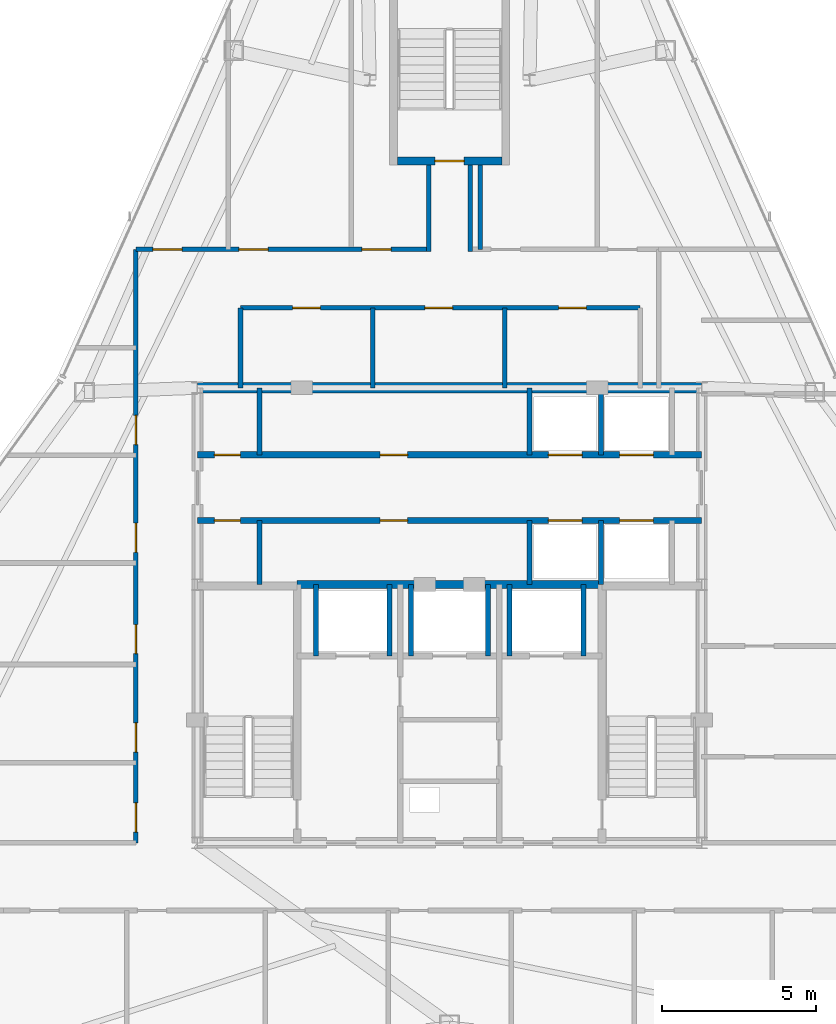
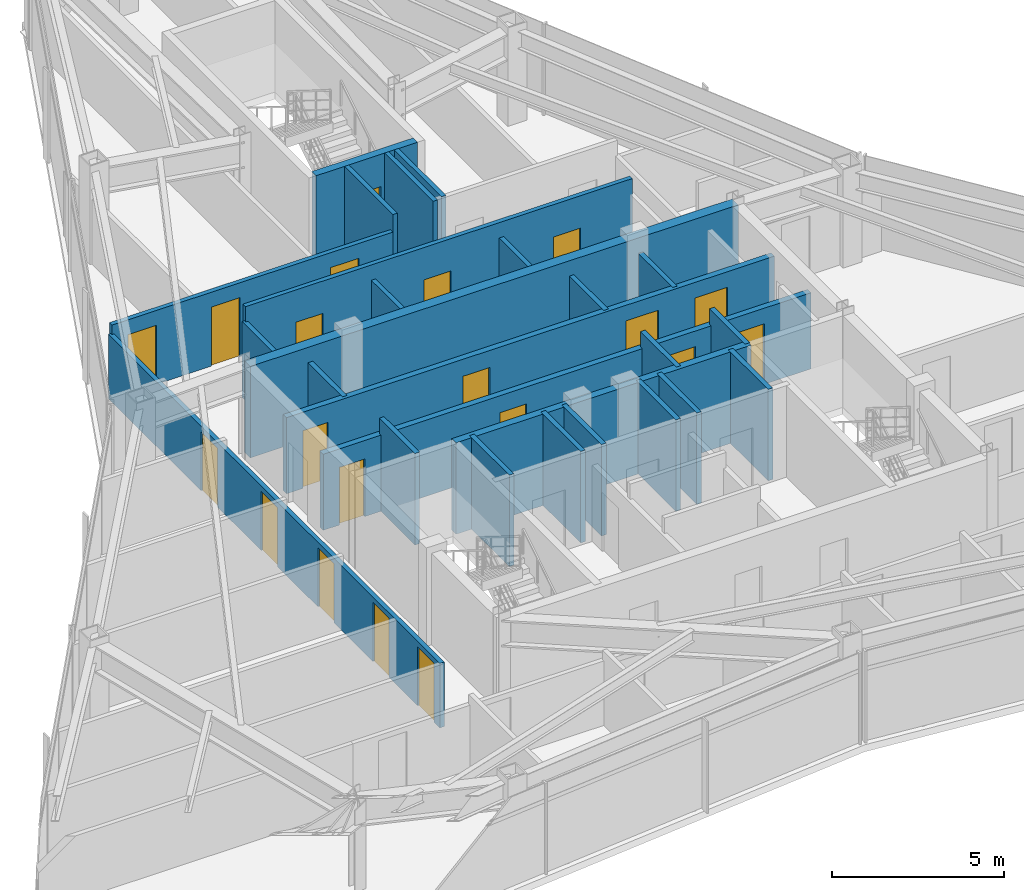
# One storey, part 10 of 12: 26 walls, 20 doors, 20 openings.
"""IFC4 building model written with IfcOpenShell, lengths in metres."""

from ifc_helpers import new_model, si_unit, direction, frame, frame_2d, origin, place, context, subcontext, project, spatial, rectangle, extrude, material, layer, layer_set, type_object, element, fill, save


model = new_model("IFC4")

# Units and contexts
model_context = context("Model", 3, precision=1e-05, world=origin(), true_north=direction((0.0, 1.0)))
body_context = subcontext(model_context, "Body", "Model", "MODEL_VIEW")
ifc_project = project(units=[si_unit("LENGTHUNIT", "METRE"), si_unit("AREAUNIT", "SQUARE_METRE"), si_unit("VOLUMEUNIT", "CUBIC_METRE"), si_unit("PLANEANGLEUNIT", "RADIAN"), si_unit("MASSUNIT", "GRAM", prefix="KILO")], contexts=[model_context])

# Site, building, storey
site_placement = place(None, origin())
site = spatial("IfcSite", under=ifc_project, at=site_placement, CompositionType="ELEMENT")
building_placement = place(site_placement, origin())
building = spatial("IfcBuilding", under=site, at=building_placement, Name="Varakhsha Concourse Tower", CompositionType="ELEMENT")
storey_placement = place(building_placement, frame((0.0, 0.0, 255.0)))
storey = spatial("IfcBuildingStorey", under=building, at=storey_placement, Name="L72", CompositionType="ELEMENT", Elevation=255.0)

# Wall
ifc_material_1 = material(Name="Concrete fc 65 MPa", Category="concrete")
ifc_layer_1 = layer(ifc_material_1, 0.35009765625, Name="WL-CORE-350")
ifc_layer_set_1 = layer_set([ifc_layer_1], Name="Concrete fc 65 MPa")
wall_type_1 = type_object("IfcWallType", Name="WL-CORE-350", PredefinedType="SHEAR", material=ifc_layer_set_1)
wall_1_placement = place(storey_placement, frame((31.800048828125, 31.199951171875, 0.0), z_axis=(0.0, 0.0, 1.0), x_axis=(1.0, 0.0, 0.0)))
element("IfcWall", 1, at=wall_1_placement, inside=storey, type_object=wall_type_1, Name="L72 Wall CWALL-N-L72", PredefinedType="SHEAR", context=body_context, shape_type="SweptSolid", body=[
    extrude(rectangle(XDim=16.39990234375, YDim=0.35009765625, at=frame_2d((8.199951171875, 0.0))), origin(), (0.0, 0.0, 1.0), 3.25),
])

# Wall, openings, doors
ifc_material_2 = material(Name="Fire-Rated Type X Gypsum Partition Assembly", Category="gypsum")
ifc_layer_2 = layer(ifc_material_2, 0.14990234375, Name="WL-PART-150")
ifc_layer_set_2 = layer_set([ifc_layer_2], Name="Fire-Rated Type X Gypsum Partition Assembly")
wall_type_2 = type_object("IfcWallType", Name="WL-PART-150", PredefinedType="PARTITIONING", material=ifc_layer_set_2)
wall_2_placement = place(storey_placement, frame((33.199951171875, 33.800048828125, 0.0), z_axis=(0.0, 0.0, 1.0), x_axis=(1.0, 0.0, 0.0)))
wall_2 = element("IfcWall", 2, at=wall_2_placement, inside=storey, type_object=wall_type_2, Name="L72 Wall NBOH-N-L72", PredefinedType="PARTITIONING", context=body_context, shape_type="SweptSolid", body=[
    extrude(rectangle(XDim=13.0, YDim=0.14990234375, at=frame_2d((6.5, 0.0))), origin(), (0.0, 0.0, 1.0), 3.25),
])
opening_1_placement = place(wall_2_placement, frame((1.699951171875, 0.0, 0.0)))
opening_1 = element("IfcOpeningElement", 3, at=opening_1_placement, cuts=wall_2, Name="Opening DF-06", PredefinedType="OPENING", context=body_context, shape_type="SweptSolid", body=[
    extrude(rectangle(XDim=0.89990234375, YDim=2.10009765625, at=frame_2d((0.449951171875, 1.050048828125))), frame((0.0, 0.0849609375, 0.0), z_axis=(0.0, -1.0, 0.0), x_axis=(1.0, 0.0, 0.0)), (0.0, 0.0, 1.0), 0.169921875),
])
opening_2_placement = place(wall_2_placement, frame((6.0, 0.0, 0.0)))
opening_2 = element("IfcOpeningElement", 4, at=opening_2_placement, cuts=wall_2, Name="Opening DF-06", PredefinedType="OPENING", context=body_context, shape_type="SweptSolid", body=[
    extrude(rectangle(XDim=0.89990234375, YDim=2.10009765625, at=frame_2d((0.449951171875, 1.050048828125))), frame((0.0, 0.0849609375, 0.0), z_axis=(0.0, -1.0, 0.0), x_axis=(1.0, 0.0, 0.0)), (0.0, 0.0, 1.0), 0.169921875),
])
opening_3_placement = place(wall_2_placement, frame((10.35009765625, 0.0, 0.0)))
opening_3 = element("IfcOpeningElement", 5, at=opening_3_placement, cuts=wall_2, Name="Opening DF-06", PredefinedType="OPENING", context=body_context, shape_type="SweptSolid", body=[
    extrude(rectangle(XDim=0.89990234375, YDim=2.10009765625, at=frame_2d((0.449951171875, 1.050048828125))), frame((0.0, 0.0849609375, 0.0), z_axis=(0.0, -1.0, 0.0), x_axis=(1.0, 0.0, 0.0)), (0.0, 0.0, 1.0), 0.169921875),
])
ifc_material_3 = material(Name="Hollow Galvanised Steel Fire Door Assembly", Category="steel")
door_type_1 = type_object("IfcDoorType", Name="DR-FD60-900", OperationType="NOTDEFINED", PredefinedType="DOOR", material=ifc_material_3)
door_1_placement = place(opening_1_placement, origin())
door_1 = element("IfcDoor", 6, at=door_1_placement, inside=storey, type_object=door_type_1, Name="L72 Men Restroom WC Door", OperationType="SINGLE_SWING_LEFT", OverallHeight=2.10009765625, OverallWidth=0.89990234375, PredefinedType="DOOR", context=body_context, shape_type="SweptSolid", body=[
    extrude(rectangle(XDim=0.89990234375, YDim=2.10009765625, at=frame_2d((0.449951171875, 1.050048828125))), frame((0.0, 0.02490234375, 0.0), z_axis=(0.0, -1.0, 0.0), x_axis=(1.0, 0.0, 0.0)), (0.0, 0.0, 1.0), 0.050048828125),
])
fill(opening_1, door_1)
door_2_placement = place(opening_2_placement, origin())
door_2 = element("IfcDoor", 7, at=door_2_placement, inside=storey, type_object=door_type_1, Name="L72 Women Restroom WC Door", OperationType="SINGLE_SWING_RIGHT", OverallHeight=2.10009765625, OverallWidth=0.89990234375, PredefinedType="DOOR", context=body_context, shape_type="SweptSolid", body=[
    extrude(rectangle(XDim=0.89990234375, YDim=2.10009765625, at=frame_2d((0.449951171875, 1.050048828125))), frame((0.0, 0.02490234375, 0.0), z_axis=(0.0, -1.0, 0.0), x_axis=(1.0, 0.0, 0.0)), (0.0, 0.0, 1.0), 0.050048828125),
])
fill(opening_2, door_2)
door_3_placement = place(opening_3_placement, origin())
door_3 = element("IfcDoor", 8, at=door_3_placement, inside=storey, type_object=door_type_1, Name="L72 Accessible WC Door", OperationType="SINGLE_SWING_LEFT", OverallHeight=2.10009765625, OverallWidth=0.89990234375, PredefinedType="DOOR", context=body_context, shape_type="SweptSolid", body=[
    extrude(rectangle(XDim=0.89990234375, YDim=2.10009765625, at=frame_2d((0.449951171875, 1.050048828125))), frame((0.0, 0.02490234375, 0.0), z_axis=(0.0, -1.0, 0.0), x_axis=(1.0, 0.0, 0.0)), (0.0, 0.0, 1.0), 0.050048828125),
])
fill(opening_3, door_3)

# Walls
for number, where, z_axis, x_axis, name in (
    (9, (33.199951171875, 31.199951171875, 0.0), (0.0, 0.0, 1.0), (0.0, 1.0, 0.0), "L72 Wall NBOH-W-L72"),
    (10, (37.5, 31.199951171875, 0.0), (0.0, 0.0, 1.0), (0.0, 1.0, 0.0), "L72 Wall NBOH-D1-L72"),
    (11, (41.800048828125, 31.199951171875, 0.0), (0.0, 0.0, 1.0), (0.0, 1.0, 0.0), "L72 Wall NBOH-D2-L72"),
):
    element("IfcWall", number, at=place(storey_placement, frame(where, z_axis=z_axis, x_axis=x_axis)), inside=storey, type_object=wall_type_2, Name=name, PredefinedType="PARTITIONING", context=body_context, shape_type="SweptSolid", body=[
        extrude(rectangle(XDim=2.60009765625, YDim=0.14990234375, at=frame_2d((1.300048828125, 0.0))), origin(), (0.0, 0.0, 1.0), 2.705078125),
    ])

# Wall, openings, doors
wall_3_placement = place(storey_placement, frame((29.800048828125, 16.39990234375, 0.0), z_axis=(0.0, 0.0, 1.0), x_axis=(0.0, 1.0, 0.0)))
wall_3 = element("IfcWall", 12, at=wall_3_placement, inside=storey, type_object=wall_type_2, Name="L72 Wall CRW-W-L72", PredefinedType="PARTITIONING", context=body_context, shape_type="SweptSolid", body=[
    extrude(rectangle(XDim=19.300048828125, YDim=0.14990234375, at=frame_2d((9.64990234375, 0.0))), origin(), (0.0, 0.0, 1.0), 2.2919921875),
])
opening_4_placement = place(wall_3_placement, frame((0.35009765625, 0.0, 0.0)))
opening_4 = element("IfcOpeningElement", 13, at=opening_4_placement, cuts=wall_3, Name="Opening DF-05", PredefinedType="OPENING", context=body_context, shape_type="SweptSolid", body=[
    extrude(rectangle(XDim=0.949951171875, YDim=2.10009765625, at=frame_2d((0.47509765625, 1.050048828125))), frame((0.0, 0.0849609375, 0.0), z_axis=(0.0, -1.0, 0.0), x_axis=(1.0, 0.0, 0.0)), (0.0, 0.0, 1.0), 0.169921875),
])
opening_5_placement = place(wall_3_placement, frame((2.949951171875, 0.0, 0.0)))
opening_5 = element("IfcOpeningElement", 14, at=opening_5_placement, cuts=wall_3, Name="Opening DF-05", PredefinedType="OPENING", context=body_context, shape_type="SweptSolid", body=[
    extrude(rectangle(XDim=0.949951171875, YDim=2.10009765625, at=frame_2d((0.47509765625, 1.050048828125))), frame((0.0, 0.0849609375, 0.0), z_axis=(0.0, -1.0, 0.0), x_axis=(1.0, 0.0, 0.0)), (0.0, 0.0, 1.0), 0.169921875),
])
opening_6_placement = place(wall_3_placement, frame((6.14990234375, 0.0, 0.0)))
opening_6 = element("IfcOpeningElement", 15, at=opening_6_placement, cuts=wall_3, Name="Opening DF-05", PredefinedType="OPENING", context=body_context, shape_type="SweptSolid", body=[
    extrude(rectangle(XDim=0.949951171875, YDim=2.10009765625, at=frame_2d((0.47509765625, 1.050048828125))), frame((0.0, 0.0849609375, 0.0), z_axis=(0.0, -1.0, 0.0), x_axis=(1.0, 0.0, 0.0)), (0.0, 0.0, 1.0), 0.169921875),
])
opening_7_placement = place(wall_3_placement, frame((9.449951171875, 0.0, 0.0)))
opening_7 = element("IfcOpeningElement", 16, at=opening_7_placement, cuts=wall_3, Name="Opening DF-05", PredefinedType="OPENING", context=body_context, shape_type="SweptSolid", body=[
    extrude(rectangle(XDim=0.949951171875, YDim=2.10009765625, at=frame_2d((0.47509765625, 1.050048828125))), frame((0.0, 0.0849609375, 0.0), z_axis=(0.0, -1.0, 0.0), x_axis=(1.0, 0.0, 0.0)), (0.0, 0.0, 1.0), 0.169921875),
])
opening_8_placement = place(wall_3_placement, frame((12.949951171875, 0.0, 0.0)))
opening_8 = element("IfcOpeningElement", 17, at=opening_8_placement, cuts=wall_3, Name="Opening DF-05", PredefinedType="OPENING", context=body_context, shape_type="SweptSolid", body=[
    extrude(rectangle(XDim=0.949951171875, YDim=2.10009765625, at=frame_2d((0.47509765625, 1.050048828125))), frame((0.0, 0.0849609375, 0.0), z_axis=(0.0, -1.0, 0.0), x_axis=(1.0, 0.0, 0.0)), (0.0, 0.0, 1.0), 0.169921875),
])
door_type_2 = type_object("IfcDoorType", Name="DR-FD60-950", OperationType="NOTDEFINED", PredefinedType="DOOR", material=ifc_material_3)
door_4_placement = place(opening_4_placement, origin())
door_4 = element("IfcDoor", 18, at=door_4_placement, inside=storey, type_object=door_type_2, Name="L72 Lab Staff Refreshment Kitchen L72 Door", OperationType="SINGLE_SWING_RIGHT", OverallHeight=2.10009765625, OverallWidth=0.949951171875, PredefinedType="DOOR", context=body_context, shape_type="SweptSolid", body=[
    extrude(rectangle(XDim=0.949951171875, YDim=2.10009765625, at=frame_2d((0.47509765625, 1.050048828125))), frame((0.0, 0.02490234375, 0.0), z_axis=(0.0, -1.0, 0.0), x_axis=(1.0, 0.0, 0.0)), (0.0, 0.0, 1.0), 0.050048828125),
])
fill(opening_4, door_4)
door_5_placement = place(opening_5_placement, origin())
door_5 = element("IfcDoor", 19, at=door_5_placement, inside=storey, type_object=door_type_2, Name="L72 Dry R&D Design Lab L72-W2 Door", OperationType="SINGLE_SWING_LEFT", OverallHeight=2.10009765625, OverallWidth=0.949951171875, PredefinedType="DOOR", context=body_context, shape_type="SweptSolid", body=[
    extrude(rectangle(XDim=0.949951171875, YDim=2.10009765625, at=frame_2d((0.47509765625, 1.050048828125))), frame((0.0, 0.02490234375, 0.0), z_axis=(0.0, -1.0, 0.0), x_axis=(1.0, 0.0, 0.0)), (0.0, 0.0, 1.0), 0.050048828125),
])
fill(opening_5, door_5)
door_6_placement = place(opening_6_placement, origin())
door_6 = element("IfcDoor", 20, at=door_6_placement, inside=storey, type_object=door_type_2, Name="L72 Dry R&D Design Lab L72-W3 Door", OperationType="SINGLE_SWING_RIGHT", OverallHeight=2.10009765625, OverallWidth=0.949951171875, PredefinedType="DOOR", context=body_context, shape_type="SweptSolid", body=[
    extrude(rectangle(XDim=0.949951171875, YDim=2.10009765625, at=frame_2d((0.47509765625, 1.050048828125))), frame((0.0, 0.02490234375, 0.0), z_axis=(0.0, -1.0, 0.0), x_axis=(1.0, 0.0, 0.0)), (0.0, 0.0, 1.0), 0.050048828125),
])
fill(opening_6, door_6)
door_7_placement = place(opening_7_placement, origin())
door_7 = element("IfcDoor", 21, at=door_7_placement, inside=storey, type_object=door_type_2, Name="L72 Dry R&D Design Lab L72-W4 Door", OperationType="SINGLE_SWING_LEFT", OverallHeight=2.10009765625, OverallWidth=0.949951171875, PredefinedType="DOOR", context=body_context, shape_type="SweptSolid", body=[
    extrude(rectangle(XDim=0.949951171875, YDim=2.10009765625, at=frame_2d((0.47509765625, 1.050048828125))), frame((0.0, 0.02490234375, 0.0), z_axis=(0.0, -1.0, 0.0), x_axis=(1.0, 0.0, 0.0)), (0.0, 0.0, 1.0), 0.050048828125),
])
fill(opening_7, door_7)
door_8_placement = place(opening_8_placement, origin())
door_8 = element("IfcDoor", 22, at=door_8_placement, inside=storey, type_object=door_type_2, Name="L72 Dry R&D Design Lab L72-W5 Door", OperationType="SINGLE_SWING_RIGHT", OverallHeight=2.10009765625, OverallWidth=0.949951171875, PredefinedType="DOOR", context=body_context, shape_type="SweptSolid", body=[
    extrude(rectangle(XDim=0.949951171875, YDim=2.10009765625, at=frame_2d((0.47509765625, 1.050048828125))), frame((0.0, 0.02490234375, 0.0), z_axis=(0.0, -1.0, 0.0), x_axis=(1.0, 0.0, 0.0)), (0.0, 0.0, 1.0), 0.050048828125),
])
fill(opening_8, door_8)

wall_4_placement = place(storey_placement, frame((29.800048828125, 35.699951171875, 0.0), z_axis=(0.0, 0.0, 1.0), x_axis=(1.0, 0.0, 0.0)))
wall_4 = element("IfcWall", 23, at=wall_4_placement, inside=storey, type_object=wall_type_2, Name="L72 Wall CRW-N-L72", PredefinedType="PARTITIONING", context=body_context, shape_type="SweptSolid", body=[
    extrude(rectangle(XDim=9.449951171875, YDim=0.14990234375, at=frame_2d((4.72509765625, 0.0))), origin(), (0.0, 0.0, 1.0), 2.6279296875),
])
opening_9_placement = place(wall_4_placement, frame((0.550048828125, 0.0, 0.0)))
opening_9 = element("IfcOpeningElement", 24, at=opening_9_placement, cuts=wall_4, Name="Opening DF-05", PredefinedType="OPENING", context=body_context, shape_type="SweptSolid", body=[
    extrude(rectangle(XDim=0.949951171875, YDim=2.10009765625, at=frame_2d((0.47509765625, 1.050048828125))), frame((0.0, 0.0849609375, 0.0), z_axis=(0.0, -1.0, 0.0), x_axis=(1.0, 0.0, 0.0)), (0.0, 0.0, 1.0), 0.169921875),
])
opening_10_placement = place(wall_4_placement, frame((3.35009765625, 0.0, 0.0)))
opening_10 = element("IfcOpeningElement", 25, at=opening_10_placement, cuts=wall_4, Name="Opening DF-05", PredefinedType="OPENING", context=body_context, shape_type="SweptSolid", body=[
    extrude(rectangle(XDim=0.949951171875, YDim=2.10009765625, at=frame_2d((0.47509765625, 1.050048828125))), frame((0.0, 0.0849609375, 0.0), z_axis=(0.0, -1.0, 0.0), x_axis=(1.0, 0.0, 0.0)), (0.0, 0.0, 1.0), 0.169921875),
])
opening_11_placement = place(wall_4_placement, frame((7.35009765625, 0.0, 0.0)))
opening_11 = element("IfcOpeningElement", 26, at=opening_11_placement, cuts=wall_4, Name="Opening DF-05", PredefinedType="OPENING", context=body_context, shape_type="SweptSolid", body=[
    extrude(rectangle(XDim=0.949951171875, YDim=2.10009765625, at=frame_2d((0.47509765625, 1.050048828125))), frame((0.0, 0.0849609375, 0.0), z_axis=(0.0, -1.0, 0.0), x_axis=(1.0, 0.0, 0.0)), (0.0, 0.0, 1.0), 0.169921875),
])
door_9_placement = place(opening_9_placement, origin())
door_9 = element("IfcDoor", 27, at=door_9_placement, inside=storey, type_object=door_type_2, Name="L72 Mountain View BIM Coordination Workroom L72-N1 Door", OperationType="SINGLE_SWING_LEFT", OverallHeight=2.10009765625, OverallWidth=0.949951171875, PredefinedType="DOOR", context=body_context, shape_type="SweptSolid", body=[
    extrude(rectangle(XDim=0.949951171875, YDim=2.10009765625, at=frame_2d((0.47509765625, 1.050048828125))), frame((0.0, 0.02490234375, 0.0), z_axis=(0.0, -1.0, 0.0), x_axis=(1.0, 0.0, 0.0)), (0.0, 0.0, 1.0), 0.050048828125),
])
fill(opening_9, door_9)
door_10_placement = place(opening_10_placement, origin())
door_10 = element("IfcDoor", 28, at=door_10_placement, inside=storey, type_object=door_type_2, Name="L72 North Dry R&D Design Lab L72-N2 Door", OperationType="SINGLE_SWING_RIGHT", OverallHeight=2.10009765625, OverallWidth=0.949951171875, PredefinedType="DOOR", context=body_context, shape_type="SweptSolid", body=[
    extrude(rectangle(XDim=0.949951171875, YDim=2.10009765625, at=frame_2d((0.47509765625, 1.050048828125))), frame((0.0, 0.02490234375, 0.0), z_axis=(0.0, -1.0, 0.0), x_axis=(1.0, 0.0, 0.0)), (0.0, 0.0, 1.0), 0.050048828125),
])
fill(opening_10, door_10)
door_11_placement = place(opening_11_placement, origin())
door_11 = element("IfcDoor", 29, at=door_11_placement, inside=storey, type_object=door_type_2, Name="L72 North Dry R&D Design Lab L72-N3 Door", OperationType="SINGLE_SWING_LEFT", OverallHeight=2.10009765625, OverallWidth=0.949951171875, PredefinedType="DOOR", context=body_context, shape_type="SweptSolid", body=[
    extrude(rectangle(XDim=0.949951171875, YDim=2.10009765625, at=frame_2d((0.47509765625, 1.050048828125))), frame((0.0, 0.02490234375, 0.0), z_axis=(0.0, -1.0, 0.0), x_axis=(1.0, 0.0, 0.0)), (0.0, 0.0, 1.0), 0.050048828125),
])
fill(opening_11, door_11)

# Walls
wall_5_placement = place(storey_placement, frame((41.0, 35.699951171875, 0.0), z_axis=(0.0, 0.0, 1.0), x_axis=(0.0, 1.0, 0.0)))
element("IfcWall", 30, at=wall_5_placement, inside=storey, type_object=wall_type_2, Name="L72 Wall ODIV-N3-L72", PredefinedType="PARTITIONING", context=body_context, shape_type="SweptSolid", body=[
    extrude(rectangle(XDim=2.75, YDim=0.14990234375, at=frame_2d((1.375, 0.0))), origin(), (0.0, 0.0, 1.0), 3.25),
])
for number, where, z_axis, x_axis, name in (
    (31, (39.324951171875, 35.625, 0.0), (0.0, 0.0, 1.0), (0.0, 1.0, 0.0), "L72 Wall STUB-W-L72"),
    (32, (40.675048828125, 35.625, 0.0), (0.0, 0.0, 1.0), (0.0, 1.0, 0.0), "L72 Wall STUB-E-L72"),
):
    element("IfcWall", number, at=place(storey_placement, frame(where, z_axis=z_axis, x_axis=x_axis)), inside=storey, type_object=wall_type_2, Name=name, PredefinedType="PARTITIONING", context=body_context, shape_type="SweptSolid", body=[
        extrude(rectangle(XDim=2.824951171875, YDim=0.14990234375, at=frame_2d((1.41259765625, 0.0))), origin(), (0.0, 0.0, 1.0), 3.25),
    ])
ifc_layer_3 = layer(ifc_material_2, 0.199951171875, Name="WL-SHAFT-220")
ifc_layer_set_3 = layer_set([ifc_layer_3], Name="Fire-Rated Type X Gypsum Partition Assembly")
wall_type_3 = type_object("IfcWallType", Name="WL-SHAFT-220", PredefinedType="SOLIDWALL", material=ifc_layer_set_3)
for number, where, z_axis, x_axis, name in (
    (33, (35.64990234375, 22.47998046875, 0.0), (0.0, 0.0, 1.0), (0.0, 1.0, 0.0), "L72 Wall SHW-FFL-1-W-L72"),
    (34, (38.050048828125, 22.47998046875, 0.0), (0.0, 0.0, 1.0), (0.0, 1.0, 0.0), "L72 Wall SHW-FFL-1-E-L72"),
    (35, (41.949951171875, 22.47998046875, 0.0), (0.0, 0.0, 1.0), (0.0, 1.0, 0.0), "L72 Wall SHW-FFL-2-W-L72"),
    (36, (44.35009765625, 22.47998046875, 0.0), (0.0, 0.0, 1.0), (0.0, 1.0, 0.0), "L72 Wall SHW-FFL-2-E-L72"),
    (37, (38.75, 22.47998046875, 0.0), (0.0, 0.0, 1.0), (0.0, 1.0, 0.0), "L72 Wall SHW-SVL-1-W-L72"),
    (38, (41.25, 22.47998046875, 0.0), (0.0, 0.0, 1.0), (0.0, 1.0, 0.0), "L72 Wall SHW-SVL-1-E-L72"),
):
    element("IfcWall", number, at=place(storey_placement, frame(where, z_axis=z_axis, x_axis=x_axis)), inside=storey, type_object=wall_type_3, Name=name, PredefinedType="SOLIDWALL", context=body_context, shape_type="SweptSolid", body=[
        extrude(rectangle(XDim=2.320068359375, YDim=0.159912109375, at=frame_2d((1.16015625, 0.0))), origin(), (0.0, 0.0, 1.0), 3.25),
    ])

# Wall, openings, doors
wall_6_placement = place(storey_placement, frame((31.800048828125, 29.02001953125, 0.0), z_axis=(0.0, 0.0, 1.0), x_axis=(1.0, 0.0, 0.0)))
wall_6 = element("IfcWall", 39, at=wall_6_placement, inside=storey, type_object=wall_type_3, Name="L72 Wall PLW-N-L72", PredefinedType="SOLIDWALL", context=body_context, shape_type="SweptSolid", body=[
    extrude(rectangle(XDim=16.39990234375, YDim=0.199951171875, at=frame_2d((8.199951171875, 0.0))), origin(), (0.0, 0.0, 1.0), 2.705078125),
])
opening_12_placement = place(wall_6_placement, frame((0.550048828125, 0.0, 0.0)))
opening_12 = element("IfcOpeningElement", 40, at=opening_12_placement, cuts=wall_6, Name="Opening DF-07", PredefinedType="OPENING", context=body_context, shape_type="SweptSolid", body=[
    extrude(rectangle(XDim=0.85009765625, YDim=2.050048828125, at=frame_2d((0.425048828125, 1.02490234375))), frame((0.0, 0.10986328125, 0.0), z_axis=(0.0, -1.0, 0.0), x_axis=(1.0, 0.0, 0.0)), (0.0, 0.0, 1.0), 0.219970703125),
])
opening_13_placement = place(wall_6_placement, frame((5.93994140625, 0.0, 0.0)))
opening_13 = element("IfcOpeningElement", 41, at=opening_13_placement, cuts=wall_6, Name="Opening DF-06", PredefinedType="OPENING", context=body_context, shape_type="SweptSolid", body=[
    extrude(rectangle(XDim=0.89990234375, YDim=2.10009765625, at=frame_2d((0.449951171875, 1.050048828125))), frame((0.0, 0.10986328125, 0.0), z_axis=(0.0, -1.0, 0.0), x_axis=(1.0, 0.0, 0.0)), (0.0, 0.0, 1.0), 0.219970703125),
])
opening_14_placement = place(wall_6_placement, frame((11.409912109375, 0.0, 0.0)))
opening_14 = element("IfcOpeningElement", 42, at=opening_14_placement, cuts=wall_6, Name="Opening LD-LF-P09", PredefinedType="OPENING", context=body_context, shape_type="SweptSolid", body=[
    extrude(rectangle(XDim=1.10009765625, YDim=2.14990234375, at=frame_2d((0.550048828125, 1.074951171875))), frame((0.0, 0.10986328125, 0.0), z_axis=(0.0, -1.0, 0.0), x_axis=(1.0, 0.0, 0.0)), (0.0, 0.0, 1.0), 0.219970703125),
])
opening_15_placement = place(wall_6_placement, frame((13.72998046875, 0.0, 0.0)))
opening_15 = element("IfcOpeningElement", 43, at=opening_15_placement, cuts=wall_6, Name="Opening LD-LF-P10", PredefinedType="OPENING", context=body_context, shape_type="SweptSolid", body=[
    extrude(rectangle(XDim=1.10009765625, YDim=2.14990234375, at=frame_2d((0.550048828125, 1.074951171875))), frame((0.0, 0.10986328125, 0.0), z_axis=(0.0, -1.0, 0.0), x_axis=(1.0, 0.0, 0.0)), (0.0, 0.0, 1.0), 0.219970703125),
])
door_type_3 = type_object("IfcDoorType", Name="DR-FD60-850", OperationType="NOTDEFINED", PredefinedType="DOOR", material=ifc_material_3)
door_12_placement = place(opening_12_placement, origin())
door_12 = element("IfcDoor", 44, at=door_12_placement, inside=storey, type_object=door_type_3, Name="L72 Core Janitor Closet Door", OperationType="SINGLE_SWING_LEFT", OverallHeight=2.050048828125, OverallWidth=0.85009765625, PredefinedType="DOOR", context=body_context, shape_type="SweptSolid", body=[
    extrude(rectangle(XDim=0.85009765625, YDim=2.050048828125, at=frame_2d((0.425048828125, 1.02490234375))), frame((0.0, 0.02490234375, 0.0), z_axis=(0.0, -1.0, 0.0), x_axis=(1.0, 0.0, 0.0)), (0.0, 0.0, 1.0), 0.050048828125),
])
fill(opening_12, door_12)
door_13_placement = place(opening_13_placement, origin())
door_13 = element("IfcDoor", 45, at=door_13_placement, inside=storey, type_object=door_type_1, Name="L72 Tenant Archive and IT Server Room Door", OperationType="SINGLE_SWING_LEFT", OverallHeight=2.10009765625, OverallWidth=0.89990234375, PredefinedType="DOOR", context=body_context, shape_type="SweptSolid", body=[
    extrude(rectangle(XDim=0.89990234375, YDim=2.10009765625, at=frame_2d((0.449951171875, 1.050048828125))), frame((0.0, 0.02490234375, 0.0), z_axis=(0.0, -1.0, 0.0), x_axis=(1.0, 0.0, 0.0)), (0.0, 0.0, 1.0), 0.050048828125),
])
fill(opening_13, door_13)
ifc_material_4 = material(Name="Brushed Austenitic Stainless Steel AISI 316", Category="steel")
door_type_4 = type_object("IfcDoorType", Name="DR-LD-1100", OperationType="DOUBLE_DOOR_SLIDING", PredefinedType="DOOR", material=ifc_material_4)
door_14_placement = place(opening_14_placement, origin())
door_14 = element("IfcDoor", 46, at=door_14_placement, inside=storey, type_object=door_type_4, Name="Lift Landing Door LF-P09 L72", OperationType="DOUBLE_DOOR_SLIDING", OverallHeight=2.14990234375, OverallWidth=1.10009765625, PredefinedType="DOOR", context=body_context, shape_type="SweptSolid", body=[
    extrude(rectangle(XDim=1.10009765625, YDim=2.14990234375, at=frame_2d((0.550048828125, 1.074951171875))), frame((0.0, 0.02490234375, 0.0), z_axis=(0.0, -1.0, 0.0), x_axis=(1.0, 0.0, 0.0)), (0.0, 0.0, 1.0), 0.050048828125),
])
fill(opening_14, door_14)
door_15_placement = place(opening_15_placement, origin())
door_15 = element("IfcDoor", 47, at=door_15_placement, inside=storey, type_object=door_type_4, Name="Lift Landing Door LF-P10 L72", OperationType="DOUBLE_DOOR_SLIDING", OverallHeight=2.14990234375, OverallWidth=1.10009765625, PredefinedType="DOOR", context=body_context, shape_type="SweptSolid", body=[
    extrude(rectangle(XDim=1.10009765625, YDim=2.14990234375, at=frame_2d((0.550048828125, 1.074951171875))), frame((0.0, 0.02490234375, 0.0), z_axis=(0.0, -1.0, 0.0), x_axis=(1.0, 0.0, 0.0)), (0.0, 0.0, 1.0), 0.050048828125),
])
fill(opening_15, door_15)

wall_7_placement = place(storey_placement, frame((31.800048828125, 26.8798828125, 0.0), z_axis=(0.0, 0.0, 1.0), x_axis=(1.0, 0.0, 0.0)))
wall_7 = element("IfcWall", 48, at=wall_7_placement, inside=storey, type_object=wall_type_3, Name="L72 Wall PLW-S-L72", PredefinedType="SOLIDWALL", context=body_context, shape_type="SweptSolid", body=[
    extrude(rectangle(XDim=16.39990234375, YDim=0.199951171875, at=frame_2d((8.199951171875, 0.0))), origin(), (0.0, 0.0, 1.0), 2.705078125),
])
opening_16_placement = place(wall_7_placement, frame((0.550048828125, 0.0, 0.0)))
opening_16 = element("IfcOpeningElement", 49, at=opening_16_placement, cuts=wall_7, Name="Opening DF-07", PredefinedType="OPENING", context=body_context, shape_type="SweptSolid", body=[
    extrude(rectangle(XDim=0.85009765625, YDim=2.050048828125, at=frame_2d((0.425048828125, 1.02490234375))), frame((0.0, 0.10986328125, 0.0), z_axis=(0.0, -1.0, 0.0), x_axis=(1.0, 0.0, 0.0)), (0.0, 0.0, 1.0), 0.219970703125),
])
opening_17_placement = place(wall_7_placement, frame((5.93994140625, 0.0, 0.0)))
opening_17 = element("IfcOpeningElement", 50, at=opening_17_placement, cuts=wall_7, Name="Opening DF-06", PredefinedType="OPENING", context=body_context, shape_type="SweptSolid", body=[
    extrude(rectangle(XDim=0.89990234375, YDim=2.10009765625, at=frame_2d((0.449951171875, 1.050048828125))), frame((0.0, 0.10986328125, 0.0), z_axis=(0.0, -1.0, 0.0), x_axis=(1.0, 0.0, 0.0)), (0.0, 0.0, 1.0), 0.219970703125),
])
opening_18_placement = place(wall_7_placement, frame((11.409912109375, 0.0, 0.0)))
opening_18 = element("IfcOpeningElement", 51, at=opening_18_placement, cuts=wall_7, Name="Opening LD-LF-P11", PredefinedType="OPENING", context=body_context, shape_type="SweptSolid", body=[
    extrude(rectangle(XDim=1.10009765625, YDim=2.14990234375, at=frame_2d((0.550048828125, 1.074951171875))), frame((0.0, 0.10986328125, 0.0), z_axis=(0.0, -1.0, 0.0), x_axis=(1.0, 0.0, 0.0)), (0.0, 0.0, 1.0), 0.219970703125),
])
opening_19_placement = place(wall_7_placement, frame((13.72998046875, 0.0, 0.0)))
opening_19 = element("IfcOpeningElement", 52, at=opening_19_placement, cuts=wall_7, Name="Opening LD-LF-P12", PredefinedType="OPENING", context=body_context, shape_type="SweptSolid", body=[
    extrude(rectangle(XDim=1.10009765625, YDim=2.14990234375, at=frame_2d((0.550048828125, 1.074951171875))), frame((0.0, 0.10986328125, 0.0), z_axis=(0.0, -1.0, 0.0), x_axis=(1.0, 0.0, 0.0)), (0.0, 0.0, 1.0), 0.219970703125),
])
door_16_placement = place(opening_16_placement, origin())
door_16 = element("IfcDoor", 53, at=door_16_placement, inside=storey, type_object=door_type_3, Name="L72 Core Telecoms Closet Door", OperationType="SINGLE_SWING_RIGHT", OverallHeight=2.050048828125, OverallWidth=0.85009765625, PredefinedType="DOOR", context=body_context, shape_type="SweptSolid", body=[
    extrude(rectangle(XDim=0.85009765625, YDim=2.050048828125, at=frame_2d((0.425048828125, 1.02490234375))), frame((0.0, 0.02490234375, 0.0), z_axis=(0.0, -1.0, 0.0), x_axis=(1.0, 0.0, 0.0)), (0.0, 0.0, 1.0), 0.050048828125),
])
fill(opening_16, door_16)
door_17_placement = place(opening_17_placement, origin())
door_17 = element("IfcDoor", 54, at=door_17_placement, inside=storey, type_object=door_type_1, Name="L72 Executive Pantry and Copy Suite Door", OperationType="SINGLE_SWING_RIGHT", OverallHeight=2.10009765625, OverallWidth=0.89990234375, PredefinedType="DOOR", context=body_context, shape_type="SweptSolid", body=[
    extrude(rectangle(XDim=0.89990234375, YDim=2.10009765625, at=frame_2d((0.449951171875, 1.050048828125))), frame((0.0, 0.02490234375, 0.0), z_axis=(0.0, -1.0, 0.0), x_axis=(1.0, 0.0, 0.0)), (0.0, 0.0, 1.0), 0.050048828125),
])
fill(opening_17, door_17)
door_18_placement = place(opening_18_placement, origin())
door_18 = element("IfcDoor", 55, at=door_18_placement, inside=storey, type_object=door_type_4, Name="Lift Landing Door LF-P11 L72", OperationType="DOUBLE_DOOR_SLIDING", OverallHeight=2.14990234375, OverallWidth=1.10009765625, PredefinedType="DOOR", context=body_context, shape_type="SweptSolid", body=[
    extrude(rectangle(XDim=1.10009765625, YDim=2.14990234375, at=frame_2d((0.550048828125, 1.074951171875))), frame((0.0, 0.02490234375, 0.0), z_axis=(0.0, -1.0, 0.0), x_axis=(1.0, 0.0, 0.0)), (0.0, 0.0, 1.0), 0.050048828125),
])
fill(opening_18, door_18)
door_19_placement = place(opening_19_placement, origin())
door_19 = element("IfcDoor", 56, at=door_19_placement, inside=storey, type_object=door_type_4, Name="Lift Landing Door LF-P12 L72", OperationType="DOUBLE_DOOR_SLIDING", OverallHeight=2.14990234375, OverallWidth=1.10009765625, PredefinedType="DOOR", context=body_context, shape_type="SweptSolid", body=[
    extrude(rectangle(XDim=1.10009765625, YDim=2.14990234375, at=frame_2d((0.550048828125, 1.074951171875))), frame((0.0, 0.02490234375, 0.0), z_axis=(0.0, -1.0, 0.0), x_axis=(1.0, 0.0, 0.0)), (0.0, 0.0, 1.0), 0.050048828125),
])
fill(opening_19, door_19)

# Walls
wall_8_placement = place(storey_placement, frame((33.820068359375, 29.02001953125, 0.0), z_axis=(0.0, 0.0, 1.0), x_axis=(0.0, 1.0, 0.0)))
element("IfcWall", 57, at=wall_8_placement, inside=storey, type_object=wall_type_3, Name="L72 Wall WBOH-E1-L72", PredefinedType="SOLIDWALL", context=body_context, shape_type="SweptSolid", body=[
    extrude(rectangle(XDim=2.179931640625, YDim=0.159912109375, at=frame_2d((1.08984375, 0.0))), origin(), (0.0, 0.0, 1.0), 2.705078125),
])
wall_9_placement = place(storey_placement, frame((33.820068359375, 24.800048828125, 0.0), z_axis=(0.0, 0.0, 1.0), x_axis=(0.0, 1.0, 0.0)))
element("IfcWall", 58, at=wall_9_placement, inside=storey, type_object=wall_type_3, Name="L72 Wall WBOH-E2-L72", PredefinedType="SOLIDWALL", context=body_context, shape_type="SweptSolid", body=[
    extrude(rectangle(XDim=2.079833984375, YDim=0.159912109375, at=frame_2d((1.0400390625, 0.0))), origin(), (0.0, 0.0, 1.0), 3.25),
])
for number, where, z_axis, x_axis, name in (
    (59, (42.60009765625, 29.02001953125, 0.0), (0.0, 0.0, 1.0), (0.0, 1.0, 0.0), "L72 Wall SHW-LF-P09-W-L72"),
    (60, (44.919921875, 29.02001953125, 0.0), (0.0, 0.0, 1.0), (0.0, 1.0, 0.0), "L72 Wall SHW-LF-P09-E-L72"),
):
    element("IfcWall", number, at=place(storey_placement, frame(where, z_axis=z_axis, x_axis=x_axis)), inside=storey, type_object=wall_type_3, Name=name, PredefinedType="SOLIDWALL", context=body_context, shape_type="SweptSolid", body=[
        extrude(rectangle(XDim=2.179931640625, YDim=0.159912109375, at=frame_2d((1.08984375, 0.0))), origin(), (0.0, 0.0, 1.0), 2.705078125),
    ])
for number, where, z_axis, x_axis, name in (
    (61, (42.60009765625, 24.800048828125, 0.0), (0.0, 0.0, 1.0), (0.0, 1.0, 0.0), "L72 Wall SHW-LF-P11-W-L72"),
    (62, (44.919921875, 24.800048828125, 0.0), (0.0, 0.0, 1.0), (0.0, 1.0, 0.0), "L72 Wall SHW-LF-P11-E-L72"),
):
    element("IfcWall", number, at=place(storey_placement, frame(where, z_axis=z_axis, x_axis=x_axis)), inside=storey, type_object=wall_type_3, Name=name, PredefinedType="SOLIDWALL", context=body_context, shape_type="SweptSolid", body=[
        extrude(rectangle(XDim=2.079833984375, YDim=0.159912109375, at=frame_2d((1.0400390625, 0.0))), origin(), (0.0, 0.0, 1.0), 3.25),
    ])
ifc_material_5 = material(Name="Concrete fc 45 MPa", Category="concrete")
ifc_layer_4 = layer(ifc_material_5, 0.25, Name="WL-STAIR-250")
ifc_layer_set_4 = layer_set([ifc_layer_4], Name="Concrete fc 45 MPa")
wall_type_4 = type_object("IfcWallType", Name="WL-STAIR-250", PredefinedType="SHEAR", material=ifc_layer_set_4)
wall_10_placement = place(storey_placement, frame((35.044921875, 24.800048828125, 0.0), z_axis=(0.0, 0.0, 1.0), x_axis=(1.0, 0.0, 0.0)))
element("IfcWall", 63, at=wall_10_placement, inside=storey, type_object=wall_type_4, Name="L72 Wall SWALL-MID-H-L72", PredefinedType="SHEAR", context=body_context, shape_type="SweptSolid", body=[
    extrude(rectangle(XDim=9.91015625, YDim=0.25, at=frame_2d((4.955078125, 0.0))), origin(), (0.0, 0.0, 1.0), 3.25),
])

# Wall, opening, door
wall_11_placement = place(storey_placement, frame((38.300048828125, 38.574951171875, 0.0), z_axis=(0.0, 0.0, 1.0), x_axis=(1.0, 0.0, 0.0)))
wall_11 = element("IfcWall", 64, at=wall_11_placement, inside=storey, type_object=wall_type_4, Name="L72 Wall SWALL-ST5-S-L72", PredefinedType="SHEAR", context=body_context, shape_type="SweptSolid", body=[
    extrude(rectangle(XDim=3.39990234375, YDim=0.25, at=frame_2d((1.699951171875, 0.0))), origin(), (0.0, 0.0, 1.0), 3.25),
])
opening_20_placement = place(wall_11_placement, frame((1.22509765625, 0.0, 0.0)))
opening_20 = element("IfcOpeningElement", 65, at=opening_20_placement, cuts=wall_11, Name="Opening DF-03", PredefinedType="OPENING", context=body_context, shape_type="SweptSolid", body=[
    extrude(rectangle(XDim=0.949951171875, YDim=2.10009765625, at=frame_2d((0.47509765625, 1.050048828125))), frame((0.0, 0.135009765625, 0.0), z_axis=(0.0, -1.0, 0.0), x_axis=(1.0, 0.0, 0.0)), (0.0, 0.0, 1.0), 0.27001953125),
])
door_type_5 = type_object("IfcDoorType", Name="DR-FD90-950", OperationType="NOTDEFINED", PredefinedType="DOOR", material=ifc_material_3)
door_20_placement = place(opening_20_placement, origin())
door_20 = element("IfcDoor", 66, at=door_20_placement, inside=storey, type_object=door_type_5, Name="L72 Stair ST5 Fire Door", OperationType="SINGLE_SWING_RIGHT", OverallHeight=2.10009765625, OverallWidth=0.949951171875, PredefinedType="DOOR", context=body_context, shape_type="SweptSolid", body=[
    extrude(rectangle(XDim=0.949951171875, YDim=2.10009765625, at=frame_2d((0.47509765625, 1.050048828125))), frame((0.0, 0.02490234375, 0.0), z_axis=(0.0, -1.0, 0.0), x_axis=(1.0, 0.0, 0.0)), (0.0, 0.0, 1.0), 0.050048828125),
])
fill(opening_20, door_20)

save(model, "model.ifc")
